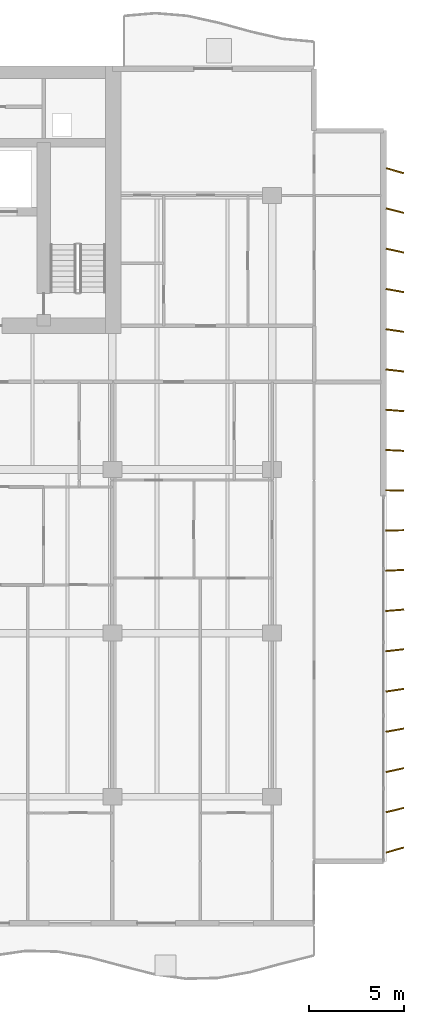
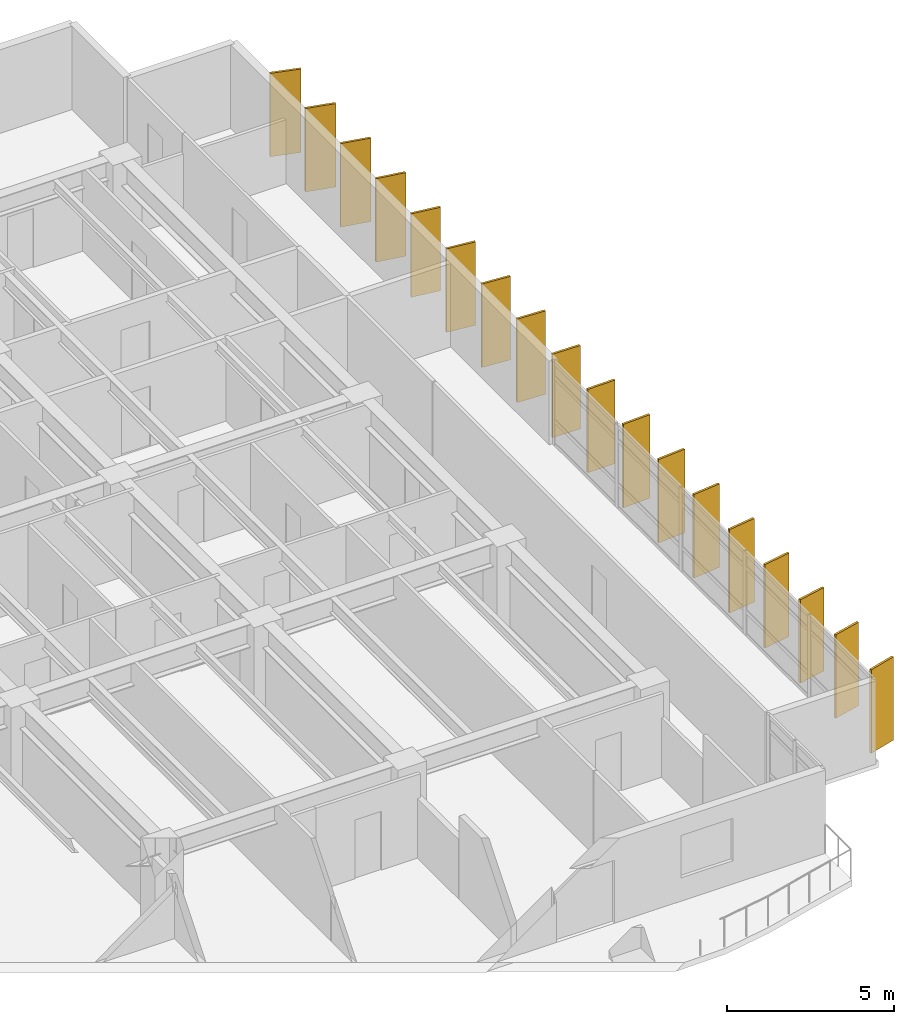
# One storey, part 15 of 15: 18 shading devices.
"""IFC4 building model written with IfcOpenShell, lengths in metres."""

from ifc_helpers import new_model, si_unit, direction, frame, origin, origin_2d, place, context, subcontext, project, spatial, rectangle, extrude, material, material_profile, profile_set, type_object, element, save


model = new_model("IFC4")

# Units and contexts
model_context = context("Model", 3, precision=1e-05, world=origin(), true_north=direction((0.0, 1.0)))
body_context = subcontext(model_context, "Body", "Model", "MODEL_VIEW")
ifc_project = project(units=[si_unit("LENGTHUNIT", "METRE"), si_unit("AREAUNIT", "SQUARE_METRE"), si_unit("VOLUMEUNIT", "CUBIC_METRE"), si_unit("PLANEANGLEUNIT", "RADIAN"), si_unit("MASSUNIT", "GRAM", prefix="KILO")], contexts=[model_context])

# Site, building, storey
site_placement = place(None, origin())
site = spatial("IfcSite", under=ifc_project, at=site_placement, CompositionType="ELEMENT")
building_placement = place(site_placement, origin())
building = spatial("IfcBuilding", under=site, at=building_placement, Name="Caelmar Bay Residences", CompositionType="ELEMENT")
storey_placement = place(building_placement, frame((0.0, 0.0, 138.89990234375)))
storey = spatial("IfcBuildingStorey", under=building, at=storey_placement, Name="L38", CompositionType="ELEMENT", Elevation=138.89990234375)

# Shading devices
ifc_material = material(Name="Anodised architectural bronze aluminium 6063-T6", Category="aluminium")
ifc_material_profile = material_profile(ifc_material, rectangle(XDim=0.074951171875, YDim=0.949951171875, at=origin_2d()), Name="BRONZE-FIN-75X950")
ifc_profile_set = profile_set([ifc_material_profile], Name="Anodised architectural bronze aluminium 6063-T6")
shading_device_type = type_object("IfcShadingDeviceType", Name="SHD-FIN-950", PredefinedType="USERDEFINED", material=ifc_profile_set)
for number, where, z_axis, x_axis, name in (
    (1, (74.35009765625, 9.39990234375, 0.0), (0.0, 0.0, 1.0), (-0.275637355817, 0.961261695938, 0.0), "L38 East Bronze Solar Fin 1"),
    (2, (74.35009765625, 11.5, 0.0), (0.0, 0.0, 1.0), (-0.243953546137, 0.969786918517, 0.0), "L38 East Bronze Solar Fin 2"),
    (3, (74.35009765625, 13.60009765625, 0.0), (0.0, 0.0, 1.0), (-0.212007109922, 0.977268123568, 0.0), "L38 East Bronze Solar Fin 3"),
    (4, (74.35009765625, 15.699951171875, 0.0), (0.0, 0.0, 1.0), (-0.179660748593, 0.98372862895, 0.0), "L38 East Bronze Solar Fin 4"),
    (5, (74.35009765625, 17.800048828125, 0.0), (0.0, 0.0, 1.0), (-0.147291543397, 0.989093120613, 0.0), "L38 East Bronze Solar Fin 5"),
    (6, (74.35009765625, 19.89990234375, 0.0), (0.0, 0.0, 1.0), (-0.114763772489, 0.993392810787, 0.0), "L38 East Bronze Solar Fin 6"),
    (7, (74.35009765625, 22.0, 0.0), (0.0, 0.0, 1.0), (-0.08211245342, 0.996623070671, 0.0), "L38 East Bronze Solar Fin 7"),
    (8, (74.35009765625, 24.10009765625, 0.0), (0.0, 0.0, 1.0), (-0.049198415926, 0.998789024705, 0.0), "L38 East Bronze Solar Fin 8"),
    (9, (74.35009765625, 26.199951171875, 0.0), (0.0, 0.0, 1.0), (-0.016405359001, 0.999865423043, 0.0), "L38 East Bronze Solar Fin 9"),
    (10, (74.35009765625, 28.300048828125, 0.0), (0.0, 0.0, 1.0), (0.016405359001, 0.999865423043, 0.0), "L38 East Bronze Solar Fin 10"),
    (11, (74.35009765625, 30.39990234375, 0.0), (0.0, 0.0, 1.0), (0.049198415926, 0.998789024705, 0.0), "L38 East Bronze Solar Fin 11"),
    (12, (74.35009765625, 32.5, 0.0), (0.0, 0.0, 1.0), (0.08211245342, 0.996623070671, 0.0), "L38 East Bronze Solar Fin 12"),
    (13, (74.35009765625, 34.60009765625, 0.0), (0.0, 0.0, 1.0), (0.114763772489, 0.993392810787, 0.0), "L38 East Bronze Solar Fin 13"),
    (14, (74.35009765625, 36.699951171875, 0.0), (0.0, 0.0, 1.0), (0.147291543397, 0.989093120613, 0.0), "L38 East Bronze Solar Fin 14"),
    (15, (74.35009765625, 38.800048828125, 0.0), (0.0, 0.0, 1.0), (0.179660748593, 0.98372862895, 0.0), "L38 East Bronze Solar Fin 15"),
    (16, (74.35009765625, 40.89990234375, 0.0), (0.0, 0.0, 1.0), (0.212007109922, 0.977268123568, 0.0), "L38 East Bronze Solar Fin 16"),
    (17, (74.35009765625, 43.0, 0.0), (0.0, 0.0, 1.0), (0.243953546137, 0.969786918517, 0.0), "L38 East Bronze Solar Fin 17"),
    (18, (74.35009765625, 45.10009765625, 0.0), (0.0, 0.0, 1.0), (0.275637355817, 0.961261695938, 0.0), "L38 East Bronze Solar Fin 18"),
):
    element("IfcShadingDevice", number, at=place(storey_placement, frame(where, z_axis=z_axis, x_axis=x_axis)), inside=storey, type_object=shading_device_type, Name=name, ObjectType="FIN", PredefinedType="USERDEFINED", context=body_context, shape_type="SweptSolid", body=[
        extrude(rectangle(XDim=0.074951171875, YDim=0.949951171875, at=origin_2d()), origin(), (0.0, 0.0, 1.0), 3.050048828125),
    ])

save(model, "model.ifc")
